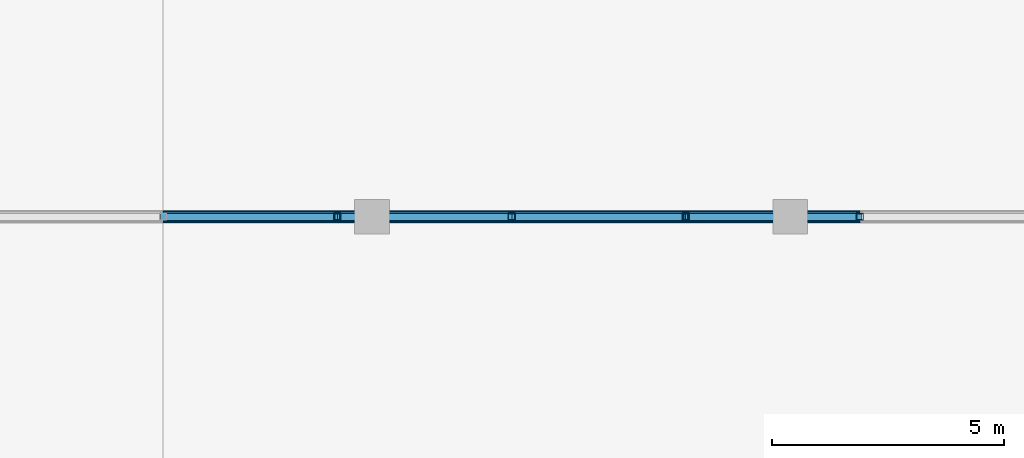
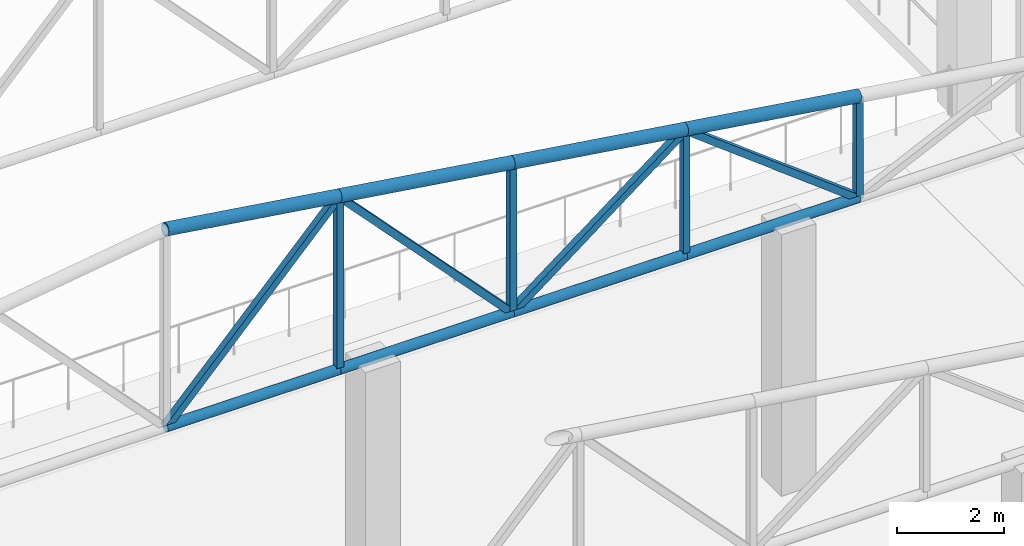
# One storey, part 52 of 223: 16 members.
"""IFC4 building model written with IfcOpenShell, lengths in metres."""

from ifc_helpers import new_model, si_unit, direction, frame, origin, origin_2d, place, context, subcontext, project, spatial, hollow_rectangle, hollow_circle, extrude, material, material_profile, profile_set, type_object, element, save


model = new_model("IFC4")

# Units and contexts
model_context = context("Model", 3, precision=1e-05, world=origin(), true_north=direction((0.0, 1.0)))
body_context = subcontext(model_context, "Body", "Model", "MODEL_VIEW")
ifc_project = project(units=[si_unit("LENGTHUNIT", "METRE"), si_unit("AREAUNIT", "SQUARE_METRE"), si_unit("VOLUMEUNIT", "CUBIC_METRE"), si_unit("PLANEANGLEUNIT", "RADIAN"), si_unit("MASSUNIT", "GRAM", prefix="KILO")], contexts=[model_context])

# Site, building, storey
site_placement = place(None, origin())
site = spatial("IfcSite", under=ifc_project, at=site_placement, CompositionType="ELEMENT")
building_placement = place(site_placement, origin())
building = spatial("IfcBuilding", under=site, at=building_placement, Name="Dornveld Trade and Exhibition Forum", CompositionType="ELEMENT")
storey_placement = place(building_placement, frame((0.0, 0.0, 6.0)))
storey = spatial("IfcBuildingStorey", under=building, at=storey_placement, Name="L01", CompositionType="ELEMENT", Elevation=6.0)

# Members
ifc_material_1 = material(Name="Steel S355J2", Category="steel")
ifc_material_profile_1 = material_profile(ifc_material_1, hollow_rectangle(XDim=0.14990234375, YDim=0.14990234375, WallThickness=0.008056640625, at=origin_2d()), Name="SHS 150x150x8")
ifc_profile_set_1 = profile_set([ifc_material_profile_1], Name="Steel S355J2")
member_type_1 = type_object("IfcMemberType", Name="MEM-ARCH-STR", PredefinedType="STRUT", material=ifc_profile_set_1)
member_1_placement = place(storey_placement, frame((179.25, 9.0, 5.97998046875), z_axis=(0.0, 0.0, 1.0), x_axis=(1.0, 0.0, 0.0)))
element("IfcMember", 1, at=member_1_placement, inside=storey, type_object=member_type_1, Name="Congress roof truss 2 post 8", PredefinedType="STRUT", context=body_context, shape_type="SweptSolid", body=[
    extrude(hollow_rectangle(XDim=0.14990234375, YDim=0.14990234375, WallThickness=0.008056640625, at=origin_2d()), origin(), (0.0, 0.0, 1.0), 3.969970703125),
])
member_2_placement = place(storey_placement, frame((183.0, 9.0, 5.97998046875), z_axis=(0.0, 0.0, 1.0), x_axis=(1.0, 0.0, 0.0)))
element("IfcMember", 2, at=member_2_placement, inside=storey, type_object=member_type_1, Name="Congress roof truss 2 post 9", PredefinedType="STRUT", context=body_context, shape_type="SweptSolid", body=[
    extrude(hollow_rectangle(XDim=0.14990234375, YDim=0.14990234375, WallThickness=0.008056640625, at=origin_2d()), origin(), (0.0, 0.0, 1.0), 3.419921875),
])
member_3_placement = place(storey_placement, frame((186.75, 9.0, 5.97998046875), z_axis=(0.0, 0.0, 1.0), x_axis=(1.0, 0.0, 0.0)))
element("IfcMember", 3, at=member_3_placement, inside=storey, type_object=member_type_1, Name="Congress roof truss 2 post 10", PredefinedType="STRUT", context=body_context, shape_type="SweptSolid", body=[
    extrude(hollow_rectangle(XDim=0.14990234375, YDim=0.14990234375, WallThickness=0.008056640625, at=origin_2d()), origin(), (0.0, 0.0, 1.0), 2.8701171875),
])
member_4_placement = place(storey_placement, frame((190.5, 9.0, 5.97998046875), z_axis=(0.0, 0.0, 1.0), x_axis=(1.0, 0.0, 0.0)))
element("IfcMember", 4, at=member_4_placement, inside=storey, type_object=member_type_1, Name="Congress roof truss 2 post 11", PredefinedType="STRUT", context=body_context, shape_type="SweptSolid", body=[
    extrude(hollow_rectangle(XDim=0.14990234375, YDim=0.14990234375, WallThickness=0.008056640625, at=origin_2d()), origin(), (0.0, 0.0, 1.0), 2.320068359375),
])
ifc_material_2 = material(Name="Steel S355J2", Category="steel")
ifc_material_profile_2 = material_profile(ifc_material_2, hollow_circle(Radius=0.109619140625, WallThickness=0.010009765625, at=origin_2d()), Name="CHS 219.1x10")
ifc_profile_set_2 = profile_set([ifc_material_profile_2], Name="Steel S355J2")
member_type_2 = type_object("IfcMemberType", Name="MEM-CONG-BC", PredefinedType="CHORD", material=ifc_profile_set_2)
for number, where, z_axis, x_axis, name in (
    (5, (175.5, 9.0, 5.97998046875), (1.0, 0.0, 0.0), (0.0, 1.0, 0.0), "Congress roof truss 2 bottom chord 7"),
    (6, (179.25, 9.0, 5.97998046875), (1.0, 0.0, 0.0), (0.0, 1.0, 0.0), "Congress roof truss 2 bottom chord 8"),
    (7, (183.0, 9.0, 5.97998046875), (1.0, 0.0, 0.0), (0.0, 1.0, 0.0), "Congress roof truss 2 bottom chord 9"),
    (8, (186.75, 9.0, 5.97998046875), (1.0, 0.0, 0.0), (0.0, 1.0, 0.0), "Congress roof truss 2 bottom chord 10"),
):
    element("IfcMember", number, at=place(storey_placement, frame(where, z_axis=z_axis, x_axis=x_axis)), inside=storey, type_object=member_type_2, Name=name, PredefinedType="CHORD", context=body_context, shape_type="SweptSolid", body=[
        extrude(hollow_circle(Radius=0.109619140625, WallThickness=0.010009765625, at=origin_2d()), origin(), (0.0, 0.0, 1.0), 3.75),
    ])
ifc_material_3 = material(Name="Steel S355J2", Category="steel")
ifc_material_profile_3 = material_profile(ifc_material_3, hollow_circle(Radius=0.136474609375, WallThickness=0.012451171875, at=origin_2d()), Name="CHS 273x12.5")
ifc_profile_set_3 = profile_set([ifc_material_profile_3], Name="Steel S355J2")
member_type_3 = type_object("IfcMemberType", Name="MEM-CONG-TC", PredefinedType="CHORD", material=ifc_profile_set_3)
for number, where, z_axis, x_axis, name in (
    (9, (175.5, 9.0, 10.5), (0.989413064489, 0.0, -0.145126799108), (0.0, 1.0, 0.0), "Congress roof truss 2 top chord 7"),
    (10, (179.25, 9.0, 9.949951171875), (0.989413064489, 0.0, -0.145126799108), (0.0, 1.0, 0.0), "Congress roof truss 2 top chord 8"),
    (11, (183.0, 9.0, 9.39990234375), (0.989422311926, 0.0, -0.145063740004), (0.0, 1.0, 0.0), "Congress roof truss 2 top chord 9"),
    (12, (186.75, 9.0, 8.85009765625), (0.989413064489, 0.0, -0.145126799108), (0.0, 1.0, 0.0), "Congress roof truss 2 top chord 10"),
):
    element("IfcMember", number, at=place(storey_placement, frame(where, z_axis=z_axis, x_axis=x_axis)), inside=storey, type_object=member_type_3, Name=name, PredefinedType="CHORD", context=body_context, shape_type="SweptSolid", body=[
        extrude(hollow_circle(Radius=0.136474609375, WallThickness=0.012451171875, at=origin_2d()), origin(), (0.0, 0.0, 1.0), 3.7900390625),
    ])
ifc_material_4 = material(Name="Steel S355J2", Category="steel")
ifc_material_profile_4 = material_profile(ifc_material_4, hollow_rectangle(XDim=0.14990234375, YDim=0.14990234375, WallThickness=0.008056640625, at=origin_2d()), Name="SHS 150x150x8")
ifc_profile_set_4 = profile_set([ifc_material_profile_4], Name="Steel S355J2")
member_type_4 = type_object("IfcMemberType", Name="MEM-CONG-WEB", PredefinedType="BRACE", material=ifc_profile_set_4)
for number, where, z_axis, x_axis, name in (
    (13, (175.5, 9.0, 5.97998046875), (0.686679978257, 0.0, 0.72695983896), (0.0, 1.0, 0.0), "Congress roof truss 2 web 7"),
    (14, (183.0, 9.0, 5.97998046875), (-0.686679978257, 0.0, 0.72695983896), (0.0, -1.0, 0.0), "Congress roof truss 2 web 8"),
):
    element("IfcMember", number, at=place(storey_placement, frame(where, z_axis=z_axis, x_axis=x_axis)), inside=storey, type_object=member_type_4, Name=name, PredefinedType="BRACE", context=body_context, shape_type="SweptSolid", body=[
        extrude(hollow_rectangle(XDim=0.14990234375, YDim=0.14990234375, WallThickness=0.008056640625, at=origin_2d()), origin(), (0.0, 0.0, 1.0), 5.4609375),
    ])
for number, where, z_axis, x_axis, name in (
    (15, (183.0, 9.0, 5.97998046875), (0.794105362147, 0.0, 0.607780119623), (0.0, 1.0, 0.0), "Congress roof truss 2 web 9"),
    (16, (190.5, 9.0, 5.97998046875), (-0.794105362147, 0.0, 0.607780119623), (0.0, -1.0, 0.0), "Congress roof truss 2 web 10"),
):
    element("IfcMember", number, at=place(storey_placement, frame(where, z_axis=z_axis, x_axis=x_axis)), inside=storey, type_object=member_type_4, Name=name, PredefinedType="BRACE", context=body_context, shape_type="SweptSolid", body=[
        extrude(hollow_rectangle(XDim=0.14990234375, YDim=0.14990234375, WallThickness=0.008056640625, at=origin_2d()), origin(), (0.0, 0.0, 1.0), 4.722412109375),
    ])

save(model, "model.ifc")
